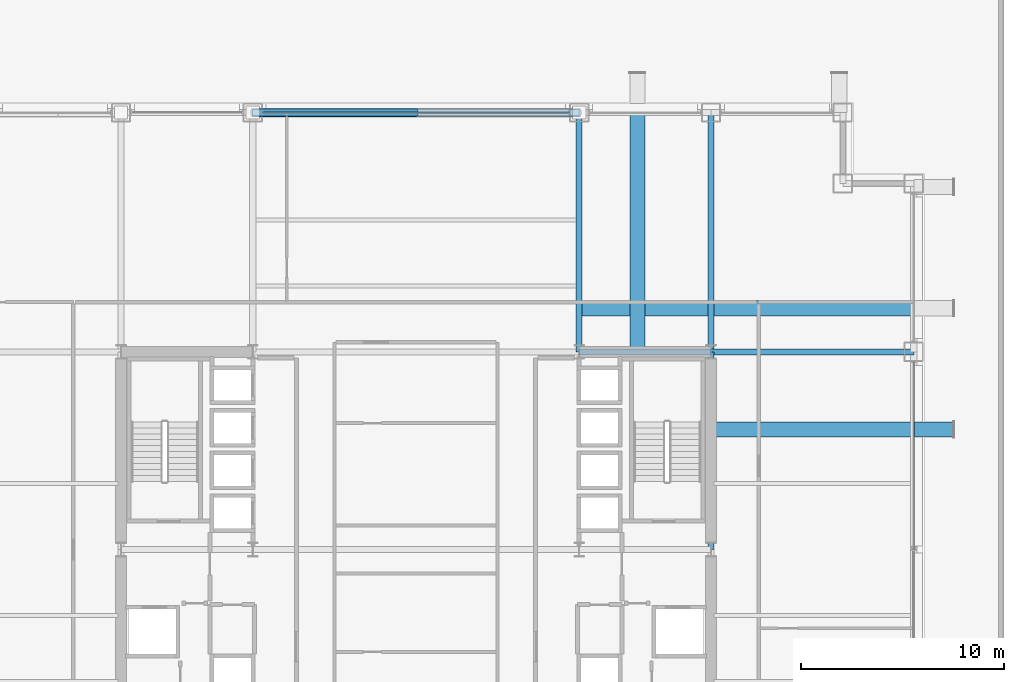
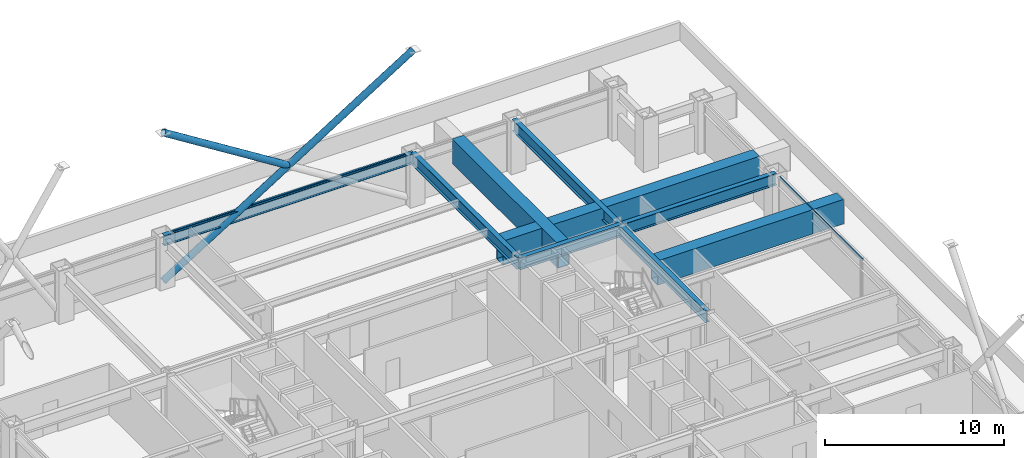
# One storey, part 22 of 33: 10 beams, 4 members, 2 elements without a shape of their own.
"""IFC4 building model written with IfcOpenShell, lengths in metres."""

from ifc_helpers import new_model, si_unit, direction, frame, origin, origin_2d, place, context, subcontext, project, spatial, hollow_rectangle, hollow_circle, i_section, extrude, material, layer, layer_set, material_profile, profile_set, type_object, element, aggregate, save


model = new_model("IFC4")

# Units and contexts
model_context = context("Model", 3, precision=1e-05, world=origin(), true_north=direction((0.0, 1.0)))
body_context = subcontext(model_context, "Body", "Model", "MODEL_VIEW")
ifc_project = project(units=[si_unit("LENGTHUNIT", "METRE"), si_unit("AREAUNIT", "SQUARE_METRE"), si_unit("VOLUMEUNIT", "CUBIC_METRE"), si_unit("PLANEANGLEUNIT", "RADIAN"), si_unit("MASSUNIT", "GRAM", prefix="KILO")], contexts=[model_context])

# Site, building, storey
site_placement = place(None, origin())
site = spatial("IfcSite", under=ifc_project, at=site_placement, CompositionType="ELEMENT")
building_placement = place(site_placement, origin())
building = spatial("IfcBuilding", under=site, at=building_placement, Name="Brelmoor Portico Tower", CompositionType="ELEMENT")
storey_placement = place(building_placement, frame((0.0, 0.0, 24.0)))
storey = spatial("IfcBuildingStorey", under=building, at=storey_placement, Name="L05", CompositionType="ELEMENT", Elevation=24.0)

# Beams
ifc_material_1 = material(Name="Steel Q355B", Category="steel")
ifc_material_profile_1 = material_profile(ifc_material_1, hollow_rectangle(XDim=0.75, YDim=1.659912109375, WallThickness=0.0419921875, at=origin_2d()), Name="BOX 750x1660x42")
ifc_profile_set_1 = profile_set([ifc_material_profile_1], Name="Steel Q355B")
beam_type_1 = type_object("IfcBeamType", Name="BM-PF-CANT", PredefinedType="BEAM", material=ifc_profile_set_1)
beam_1_placement = place(storey_placement, frame((24.550048828125, 5.919921875, 2.570068359375), z_axis=(1.0, 0.0, 0.0), x_axis=(0.0, 1.0, 0.0)))
element("IfcBeam", 1, at=beam_1_placement, inside=storey, type_object=beam_type_1, Name="L05 Picture-Frame Outrigger Transfer Cantilever PFB-05", PredefinedType="BEAM", context=body_context, shape_type="SweptSolid", body=[
    extrude(hollow_rectangle(XDim=0.75, YDim=1.659912109375, WallThickness=0.0419921875, at=origin_2d()), origin(), (0.0, 0.0, 1.0), 1.949951171875),
])
ifc_material_profile_2 = material_profile(ifc_material_1, i_section(OverallWidth=0.300048828125, OverallDepth=0.800048828125, WebThickness=0.013916015625, FlangeThickness=0.02587890625, at=origin_2d()), Name="HN 800x300x14x26")
ifc_profile_set_2 = profile_set([ifc_material_profile_2], Name="Steel Q355B")
beam_type_2 = type_object("IfcBeamType", Name="BM-PG-800", PredefinedType="BEAM", material=ifc_profile_set_2)
beam_2_placement = place(storey_placement, frame((8.050048828125, 9.75, 3.0), z_axis=(0.0, 1.0, 0.0), x_axis=(-1.0, 0.0, 0.0)))
element("IfcBeam", 2, at=beam_2_placement, inside=storey, type_object=beam_type_2, Name="L05 Primary Floor Girder PG-10", PredefinedType="BEAM", context=body_context, shape_type="SweptSolid", body=[
    extrude(i_section(OverallWidth=0.300048828125, OverallDepth=0.800048828125, WebThickness=0.013916015625, FlangeThickness=0.02587890625, at=origin_2d()), origin(), (0.0, 0.0, 1.0), 11.800048828125),
])
beam_3_placement = place(storey_placement, frame((14.550048828125, 0.0, 3.0), z_axis=(0.0, 1.0, 0.0), x_axis=(-1.0, 0.0, 0.0)))
element("IfcBeam", 3, at=beam_3_placement, inside=storey, type_object=beam_type_2, Name="L05 Primary Floor Girder PG-13", PredefinedType="BEAM", context=body_context, shape_type="SweptSolid", body=[
    extrude(i_section(OverallWidth=0.300048828125, OverallDepth=0.800048828125, WebThickness=0.013916015625, FlangeThickness=0.02587890625, at=origin_2d()), origin(), (0.0, 0.0, 1.0), 9.75),
])
beam_4_placement = place(storey_placement, frame((14.550048828125, 9.75, 3.0), z_axis=(0.0, 1.0, 0.0), x_axis=(-1.0, 0.0, 0.0)))
element("IfcBeam", 4, at=beam_4_placement, inside=storey, type_object=beam_type_2, Name="L05 Primary Floor Girder PG-14", PredefinedType="BEAM", context=body_context, shape_type="SweptSolid", body=[
    extrude(i_section(OverallWidth=0.300048828125, OverallDepth=0.800048828125, WebThickness=0.013916015625, FlangeThickness=0.02587890625, at=origin_2d()), origin(), (0.0, 0.0, 1.0), 11.800048828125),
])
beam_5_placement = place(storey_placement, frame((8.050048828125, 9.75, 3.0), z_axis=(1.0, 0.0, 0.0), x_axis=(0.0, 1.0, 0.0)))
element("IfcBeam", 5, at=beam_5_placement, inside=storey, type_object=beam_type_2, Name="L05 Primary Floor Girder PG-30", PredefinedType="BEAM", context=body_context, shape_type="SweptSolid", body=[
    extrude(i_section(OverallWidth=0.300048828125, OverallDepth=0.800048828125, WebThickness=0.013916015625, FlangeThickness=0.02587890625, at=origin_2d()), origin(), (0.0, 0.0, 1.0), 6.5),
])
beam_6_placement = place(storey_placement, frame((14.550048828125, 9.75, 3.0), z_axis=(1.0, 0.0, 0.0), x_axis=(0.0, 1.0, 0.0)))
element("IfcBeam", 6, at=beam_6_placement, inside=storey, type_object=beam_type_2, Name="L05 Primary Floor Girder PG-31", PredefinedType="BEAM", context=body_context, shape_type="SweptSolid", body=[
    extrude(i_section(OverallWidth=0.300048828125, OverallDepth=0.800048828125, WebThickness=0.013916015625, FlangeThickness=0.02587890625, at=origin_2d()), origin(), (0.0, 0.0, 1.0), 10.0),
])
ifc_material_profile_3 = material_profile(ifc_material_1, i_section(OverallWidth=0.300048828125, OverallDepth=0.699951171875, WebThickness=0.012939453125, FlangeThickness=0.02392578125, at=origin_2d()), Name="HN 700x300x13x24")
ifc_profile_set_3 = profile_set([ifc_material_profile_3], Name="Steel Q355B")
beam_type_3 = type_object("IfcBeamType", Name="BM-SP-700", PredefinedType="SPANDREL", material=ifc_profile_set_3)
beam_7_placement = place(storey_placement, frame((-8.050048828125, 21.550048828125, 3.050048828125), z_axis=(1.0, 0.0, 0.0), x_axis=(0.0, 1.0, 0.0)))
element("IfcBeam", 7, at=beam_7_placement, inside=storey, type_object=beam_type_3, Name="L05 Perimeter Spandrel Beam SP-12", PredefinedType="SPANDREL", context=body_context, shape_type="SweptSolid", body=[
    extrude(i_section(OverallWidth=0.300048828125, OverallDepth=0.699951171875, WebThickness=0.012939453125, FlangeThickness=0.02392578125, at=origin_2d()), origin(), (0.0, 0.0, 1.0), 16.10009765625),
])
ifc_material_profile_4 = material_profile(ifc_material_1, hollow_rectangle(XDim=0.75, YDim=1.659912109375, WallThickness=0.0419921875, at=origin_2d()), Name="BOX 750x1660x42")
ifc_profile_set_4 = profile_set([ifc_material_profile_4], Name="Steel Q355B")
beam_type_4 = type_object("IfcBeamType", Name="BM-TG-Z2", PredefinedType="BEAM", material=ifc_profile_set_4)
beam_8_placement = place(storey_placement, frame((10.919921875, 9.75, 2.570068359375), z_axis=(0.0, 1.0, 0.0), x_axis=(-1.0, 0.0, 0.0)))
element("IfcBeam", 8, at=beam_8_placement, inside=storey, type_object=beam_type_4, Name="L05 Picture-Frame Backspan Transfer Girder PFBS-03", PredefinedType="BEAM", context=body_context, shape_type="SweptSolid", body=[
    extrude(hollow_rectangle(XDim=0.75, YDim=1.659912109375, WallThickness=0.0419921875, at=origin_2d()), origin(), (0.0, 0.0, 1.0), 11.800048828125),
])
beam_9_placement = place(storey_placement, frame((14.550048828125, 5.919921875, 2.570068359375), z_axis=(1.0, 0.0, 0.0), x_axis=(0.0, 1.0, 0.0)))
element("IfcBeam", 9, at=beam_9_placement, inside=storey, type_object=beam_type_4, Name="L05 Picture-Frame Backspan Transfer Girder PFBS-05", PredefinedType="BEAM", context=body_context, shape_type="SweptSolid", body=[
    extrude(hollow_rectangle(XDim=0.75, YDim=1.659912109375, WallThickness=0.0419921875, at=origin_2d()), origin(), (0.0, 0.0, 1.0), 10.0),
])
beam_10_placement = place(storey_placement, frame((8.050048828125, 11.89990234375, 2.570068359375), z_axis=(1.0, 0.0, 0.0), x_axis=(0.0, 1.0, 0.0)))
element("IfcBeam", 10, at=beam_10_placement, inside=storey, type_object=beam_type_4, Name="L05 Picture-Frame Backspan Transfer Girder PFBS-07", PredefinedType="BEAM", context=body_context, shape_type="SweptSolid", body=[
    extrude(hollow_rectangle(XDim=0.75, YDim=1.659912109375, WallThickness=0.0419921875, at=origin_2d()), origin(), (0.0, 0.0, 1.0), 16.5),
])

# Members
ifc_material_profile_5 = material_profile(ifc_material_1, hollow_circle(Radius=0.212890625, WallThickness=0.02001953125, at=origin_2d()), Name="CHS 426x20")
ifc_profile_set_5 = profile_set([ifc_material_profile_5], Name="Steel Q355B")
member_type_1 = type_object("IfcMemberType", Name="MB-BELT-DIAG1", PredefinedType="BRACE", material=ifc_profile_set_5)
member_1_placement = place(storey_placement, frame((-8.050048828125, 21.550048828125, 0.25), z_axis=(0.847109476093, 0.0, 0.531418418493), x_axis=(0.0, 1.0, 0.0)))
element("IfcMember", 11, at=member_1_placement, inside=storey, type_object=member_type_1, Name="L05 Continuous Mega-X Brace 004A", PredefinedType="BRACE", context=body_context, shape_type="SweptSolid", body=[
    extrude(hollow_circle(Radius=0.212890625, WallThickness=0.02001953125, at=origin_2d()), origin(), (0.0, 0.0, 1.0), 19.005859375),
])
member_2_placement = place(storey_placement, frame((0.0, 21.550048828125, 5.300048828125), z_axis=(-0.847109476093, 0.0, 0.531418418493), x_axis=(0.0, -1.0, 0.0)))
element("IfcMember", 12, at=member_2_placement, inside=storey, type_object=member_type_1, Name="L05 Split Mega-X Brace 004B2", PredefinedType="BRACE", context=body_context, shape_type="SweptSolid", body=[
    extrude(hollow_circle(Radius=0.212890625, WallThickness=0.02001953125, at=origin_2d()), origin(), (0.0, 0.0, 1.0), 9.5029296875),
])

# Curtain wall, member
ifc_material_2 = material(Name="Anodised Aluminium Alloy 6063-T6", Category="aluminium")
ifc_layer = layer(ifc_material_2, 0.179931640625)
ifc_layer_set = layer_set([ifc_layer], Name="Anodised Aluminium Alloy 6063-T6")
curtain_wall_type = type_object("IfcCurtainWallType", Name="CW-TOWER-Z1-XB", PredefinedType="NOTDEFINED", material=ifc_layer_set)
curtain_wall_1_placement = place(storey_placement, origin())
curtain_wall_1 = element("IfcCurtainWall", 13, at=curtain_wall_1_placement, inside=storey, type_object=curtain_wall_type, Name="L05 Curtain Wall CW-L05-02-3", PredefinedType="NOTDEFINED")
ifc_material_profile_6 = material_profile(ifc_material_2, hollow_rectangle(XDim=0.06494140625, YDim=0.139892578125, WallThickness=0.00390625, at=origin_2d()), Name="ALU TRANSOM 65x140")
ifc_profile_set_6 = profile_set([ifc_material_profile_6], Name="Anodised Aluminium Alloy 6063-T6")
member_type_2 = type_object("IfcMemberType", Name="MB-CW-TRAN-140", PredefinedType="USERDEFINED", material=ifc_profile_set_6)
member_3_placement = place(storey_placement, frame((-7.56494140625, 21.550048828125, 3.330078125), z_axis=(1.0, 0.0, 0.0), x_axis=(0.0, 1.0, 0.0)))
member_3 = element("IfcMember", 14, at=member_3_placement, type_object=member_type_2, Name="CW-L05-02-3 Transom 1-00", ObjectType="TRANSOM", PredefinedType="USERDEFINED", context=body_context, shape_type="SweptSolid", body=[
    extrude(hollow_rectangle(XDim=0.06494140625, YDim=0.139892578125, WallThickness=0.00390625, at=origin_2d()), origin(), (0.0, 0.0, 1.0), 15.1298828125),
])
aggregate(curtain_wall_1, [member_3])

curtain_wall_2_placement = place(storey_placement, origin())
curtain_wall_2 = element("IfcCurtainWall", 15, at=curtain_wall_2_placement, inside=storey, type_object=curtain_wall_type, Name="L05 Curtain Wall CW-L05-04-2b", PredefinedType="NOTDEFINED")
member_4_placement = place(storey_placement, frame((24.550048828125, 0.0, 3.330078125), z_axis=(0.0, 1.0, 0.0), x_axis=(-1.0, 0.0, 0.0)))
member_4 = element("IfcMember", 16, at=member_4_placement, type_object=member_type_2, Name="CW-L05-04-2b Transom 1-00", ObjectType="TRANSOM", PredefinedType="USERDEFINED", context=body_context, shape_type="SweptSolid", body=[
    extrude(hollow_rectangle(XDim=0.06494140625, YDim=0.139892578125, WallThickness=0.00390625, at=origin_2d()), origin(), (0.0, 0.0, 1.0), 9.264892578125),
])
aggregate(curtain_wall_2, [member_4])

save(model, "model.ifc")
